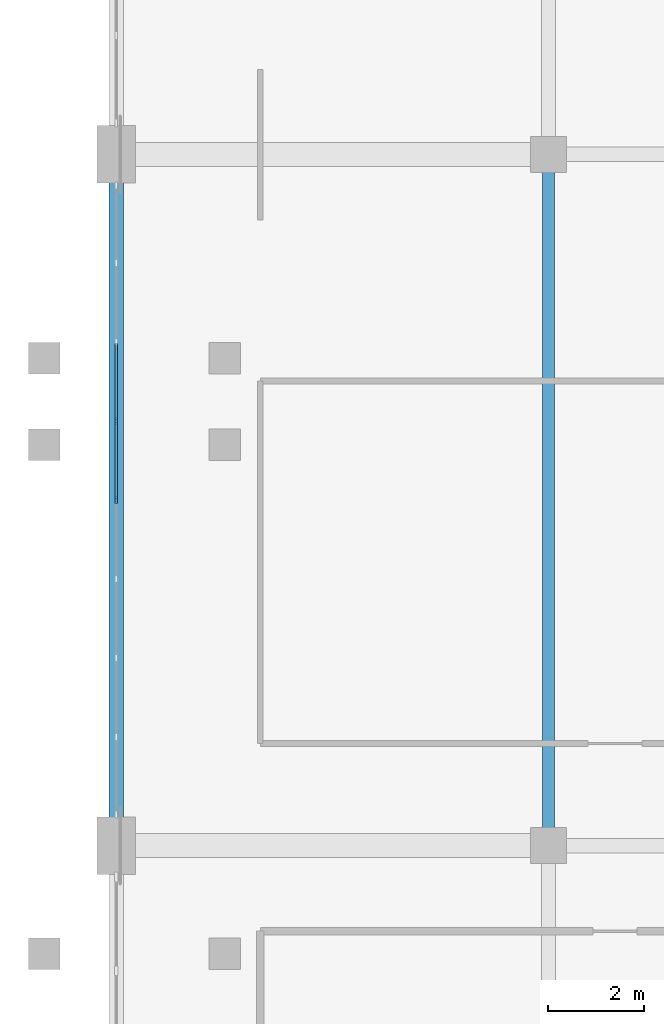
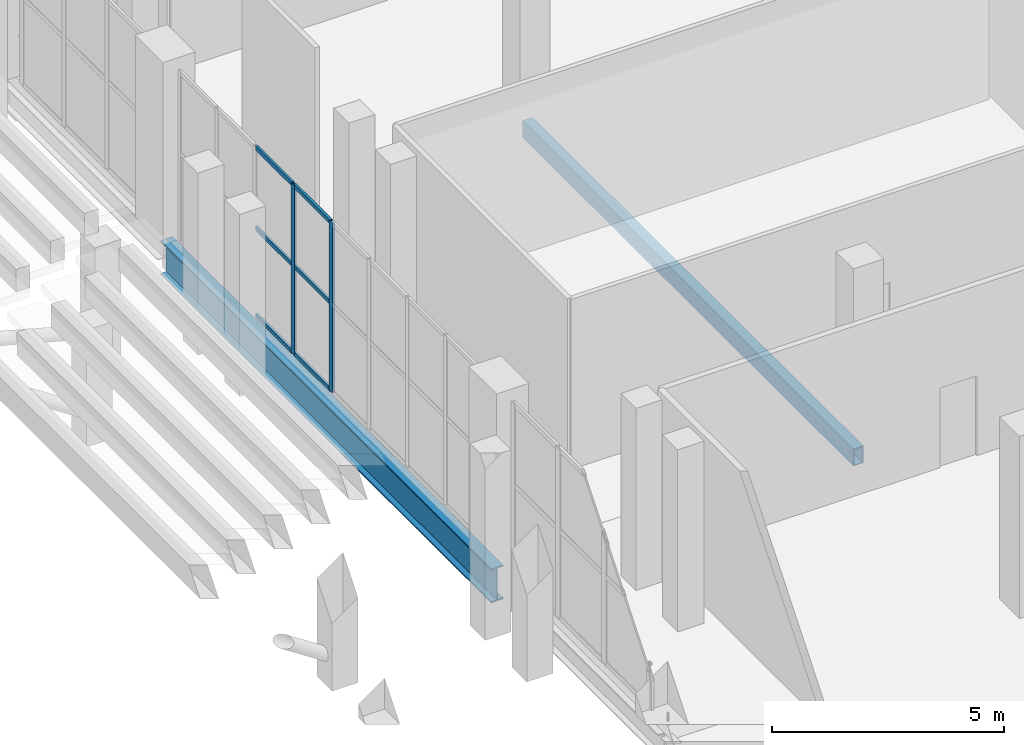
# One storey, part 46 of 142: 8 members, 2 beams, 1 element without a shape of its own.
"""IFC4 building model written with IfcOpenShell, lengths in metres."""

from ifc_helpers import new_model, si_unit, direction, frame, origin, origin_2d, place, context, subcontext, project, spatial, rectangle, hollow_rectangle, i_section, extrude, material, material_profile, profile_set, type_object, element, aggregate, save


model = new_model("IFC4")

# Units and contexts
model_context = context("Model", 3, precision=1e-05, world=origin(), true_north=direction((0.0, 1.0)))
body_context = subcontext(model_context, "Body", "Model", "MODEL_VIEW")
ifc_project = project(units=[si_unit("LENGTHUNIT", "METRE"), si_unit("AREAUNIT", "SQUARE_METRE"), si_unit("VOLUMEUNIT", "CUBIC_METRE"), si_unit("PLANEANGLEUNIT", "RADIAN"), si_unit("MASSUNIT", "GRAM", prefix="KILO")], contexts=[model_context])

# Site, building, storey
site_placement = place(None, origin())
site = spatial("IfcSite", under=ifc_project, at=site_placement, CompositionType="ELEMENT")
building_placement = place(site_placement, origin())
building = spatial("IfcBuilding", under=site, at=building_placement, Name="Koshinbarg Plaza Stadium", CompositionType="ELEMENT")
storey_placement = place(building_placement, frame((0.0, 0.0, 10.199951171875)))
storey = spatial("IfcBuildingStorey", under=building, at=storey_placement, Name="L02", CompositionType="ELEMENT", Elevation=10.199951171875)

# Beams
ifc_material_1 = material(Name="Steel S355", Category="steel")
ifc_material_profile_1 = material_profile(ifc_material_1, i_section(OverallWidth=0.300048828125, OverallDepth=0.89990234375, WebThickness=0.0185546875, FlangeThickness=0.034912109375, at=origin_2d()), Name="HEB 900")
ifc_profile_set_1 = profile_set([ifc_material_profile_1], Name="Steel S355")
beam_type_1 = type_object("IfcBeamType", Name="BM-SGIR-05", PredefinedType="USERDEFINED", material=ifc_profile_set_1)
beam_1_placement = place(storey_placement, frame((180.39990234375, 54.360107421875, -0.75), z_axis=(0.0, 1.0, 0.0), x_axis=(-1.0, 0.0, 0.0)))
element("IfcBeam", 1, at=beam_1_placement, inside=storey, type_object=beam_type_1, Name="L02 Y girder 17/H-J", ObjectType="GIRDER", PredefinedType="USERDEFINED", context=body_context, shape_type="SweptSolid", body=[
    extrude(i_section(OverallWidth=0.300048828125, OverallDepth=0.89990234375, WebThickness=0.0185546875, FlangeThickness=0.034912109375, at=origin_2d()), origin(), (0.0, 0.0, 1.0), 14.27978515625),
])
ifc_material_profile_2 = material_profile(ifc_material_1, hollow_rectangle(XDim=0.25, YDim=0.449951171875, WallThickness=0.01611328125, at=origin_2d()), Name="RHS 450x250x16")
ifc_profile_set_2 = profile_set([ifc_material_profile_2], Name="Steel S355")
beam_type_2 = type_object("IfcBeamType", Name="BM-SGIR-06", PredefinedType="USERDEFINED", material=ifc_profile_set_2)
beam_2_placement = place(storey_placement, frame((189.39990234375, 54.360107421875, -0.52490234375), z_axis=(0.0, 1.0, 0.0), x_axis=(-1.0, 0.0, 0.0)))
element("IfcBeam", 2, at=beam_2_placement, inside=storey, type_object=beam_type_2, Name="L02 Y girder 18/H-J", ObjectType="GIRDER", PredefinedType="USERDEFINED", context=body_context, shape_type="SweptSolid", body=[
    extrude(hollow_rectangle(XDim=0.25, YDim=0.449951171875, WallThickness=0.01611328125, at=origin_2d()), origin(), (0.0, 0.0, 1.0), 14.27978515625),
])

# Curtain wall, members
ifc_material_2 = material(Name="Thermally broken anodised aluminium and low-E double glazing", Category="aluminium")
curtain_wall_type = type_object("IfcCurtainWallType", Name="CW-SYS-05", PredefinedType="NOTDEFINED", material=ifc_material_2)
curtain_wall_placement = place(storey_placement, origin())
curtain_wall = element("IfcCurtainWall", 3, at=curtain_wall_placement, inside=storey, type_object=curtain_wall_type, Name="L02 unitised curtain wall CW-L02-084", PredefinedType="NOTDEFINED")
ifc_material_3 = material(Name="Anodised aluminium mullion", Category="aluminium")
ifc_material_profile_3 = material_profile(ifc_material_3, rectangle(XDim=0.06005859375, YDim=0.139892578125, at=origin_2d()), Name="ALU 60x140")
ifc_profile_set_3 = profile_set([ifc_material_profile_3], Name="Anodised aluminium mullion")
member_type_1 = type_object("IfcMemberType", Name="CW-MUL-01", PredefinedType="MULLION", material=ifc_profile_set_3)
member_1_placement = place(storey_placement, frame((180.39990234375, 61.5, 0.0), z_axis=(0.0, 0.0, 1.0), x_axis=(-1.0, 0.0, 0.0)))
member_1 = element("IfcMember", 4, at=member_1_placement, type_object=member_type_1, Name="CW05 mullion 5", PredefinedType="MULLION", context=body_context, shape_type="SweptSolid", body=[
    extrude(rectangle(XDim=0.06005859375, YDim=0.139892578125, at=origin_2d()), origin(), (0.0, 0.0, 1.0), 4.47998046875),
])
member_2_placement = place(storey_placement, frame((180.39990234375, 63.14501953125, 0.0), z_axis=(0.0, 0.0, 1.0), x_axis=(-1.0, 0.0, 0.0)))
member_2 = element("IfcMember", 5, at=member_2_placement, type_object=member_type_1, Name="CW05 mullion 6", PredefinedType="MULLION", context=body_context, shape_type="SweptSolid", body=[
    extrude(rectangle(XDim=0.06005859375, YDim=0.139892578125, at=origin_2d()), origin(), (0.0, 0.0, 1.0), 4.47998046875),
])
ifc_material_4 = material(Name="Anodised aluminium transom", Category="aluminium")
ifc_material_profile_4 = material_profile(ifc_material_4, rectangle(XDim=0.06005859375, YDim=0.110107421875, at=origin_2d()), Name="ALU 60x110")
ifc_profile_set_4 = profile_set([ifc_material_profile_4], Name="Anodised aluminium transom")
member_type_2 = type_object("IfcMemberType", Name="CW-TRN-01", PredefinedType="USERDEFINED", material=ifc_profile_set_4)
member_3_placement = place(storey_placement, frame((180.39990234375, 61.530029296875, 0.030029296875), z_axis=(0.0, 1.0, 0.0), x_axis=(-1.0, 0.0, 0.0)))
member_3 = element("IfcMember", 6, at=member_3_placement, type_object=member_type_2, Name="CW05 transom 5.1", ObjectType="TRANSOM", PredefinedType="USERDEFINED", context=body_context, shape_type="SweptSolid", body=[
    extrude(rectangle(XDim=0.06005859375, YDim=0.110107421875, at=origin_2d()), origin(), (0.0, 0.0, 1.0), 1.5849609375),
])
member_4_placement = place(storey_placement, frame((180.39990234375, 61.530029296875, 2.32958984375), z_axis=(0.0, 1.0, 0.0), x_axis=(-1.0, 0.0, 0.0)))
member_4 = element("IfcMember", 7, at=member_4_placement, type_object=member_type_2, Name="CW05 transom 5.2", ObjectType="TRANSOM", PredefinedType="USERDEFINED", context=body_context, shape_type="SweptSolid", body=[
    extrude(rectangle(XDim=0.06005859375, YDim=0.110107421875, at=origin_2d()), origin(), (0.0, 0.0, 1.0), 1.5849609375),
])
member_5_placement = place(storey_placement, frame((180.39990234375, 61.530029296875, 4.449951171875), z_axis=(0.0, 1.0, 0.0), x_axis=(-1.0, 0.0, 0.0)))
member_5 = element("IfcMember", 8, at=member_5_placement, type_object=member_type_2, Name="CW05 transom 5.3", ObjectType="TRANSOM", PredefinedType="USERDEFINED", context=body_context, shape_type="SweptSolid", body=[
    extrude(rectangle(XDim=0.06005859375, YDim=0.110107421875, at=origin_2d()), origin(), (0.0, 0.0, 1.0), 1.5849609375),
])
member_6_placement = place(storey_placement, frame((180.39990234375, 63.175048828125, 0.030029296875), z_axis=(0.0, 1.0, 0.0), x_axis=(-1.0, 0.0, 0.0)))
member_6 = element("IfcMember", 9, at=member_6_placement, type_object=member_type_2, Name="CW05 transom 6.1", ObjectType="TRANSOM", PredefinedType="USERDEFINED", context=body_context, shape_type="SweptSolid", body=[
    extrude(rectangle(XDim=0.06005859375, YDim=0.110107421875, at=origin_2d()), origin(), (0.0, 0.0, 1.0), 1.5849609375),
])
member_7_placement = place(storey_placement, frame((180.39990234375, 63.175048828125, 2.32958984375), z_axis=(0.0, 1.0, 0.0), x_axis=(-1.0, 0.0, 0.0)))
member_7 = element("IfcMember", 10, at=member_7_placement, type_object=member_type_2, Name="CW05 transom 6.2", ObjectType="TRANSOM", PredefinedType="USERDEFINED", context=body_context, shape_type="SweptSolid", body=[
    extrude(rectangle(XDim=0.06005859375, YDim=0.110107421875, at=origin_2d()), origin(), (0.0, 0.0, 1.0), 1.5849609375),
])
member_8_placement = place(storey_placement, frame((180.39990234375, 63.175048828125, 4.449951171875), z_axis=(0.0, 1.0, 0.0), x_axis=(-1.0, 0.0, 0.0)))
member_8 = element("IfcMember", 11, at=member_8_placement, type_object=member_type_2, Name="CW05 transom 6.3", ObjectType="TRANSOM", PredefinedType="USERDEFINED", context=body_context, shape_type="SweptSolid", body=[
    extrude(rectangle(XDim=0.06005859375, YDim=0.110107421875, at=origin_2d()), origin(), (0.0, 0.0, 1.0), 1.5849609375),
])
aggregate(curtain_wall, [member_1, member_2, member_3, member_4, member_5, member_6, member_7, member_8])

save(model, "model.ifc")
